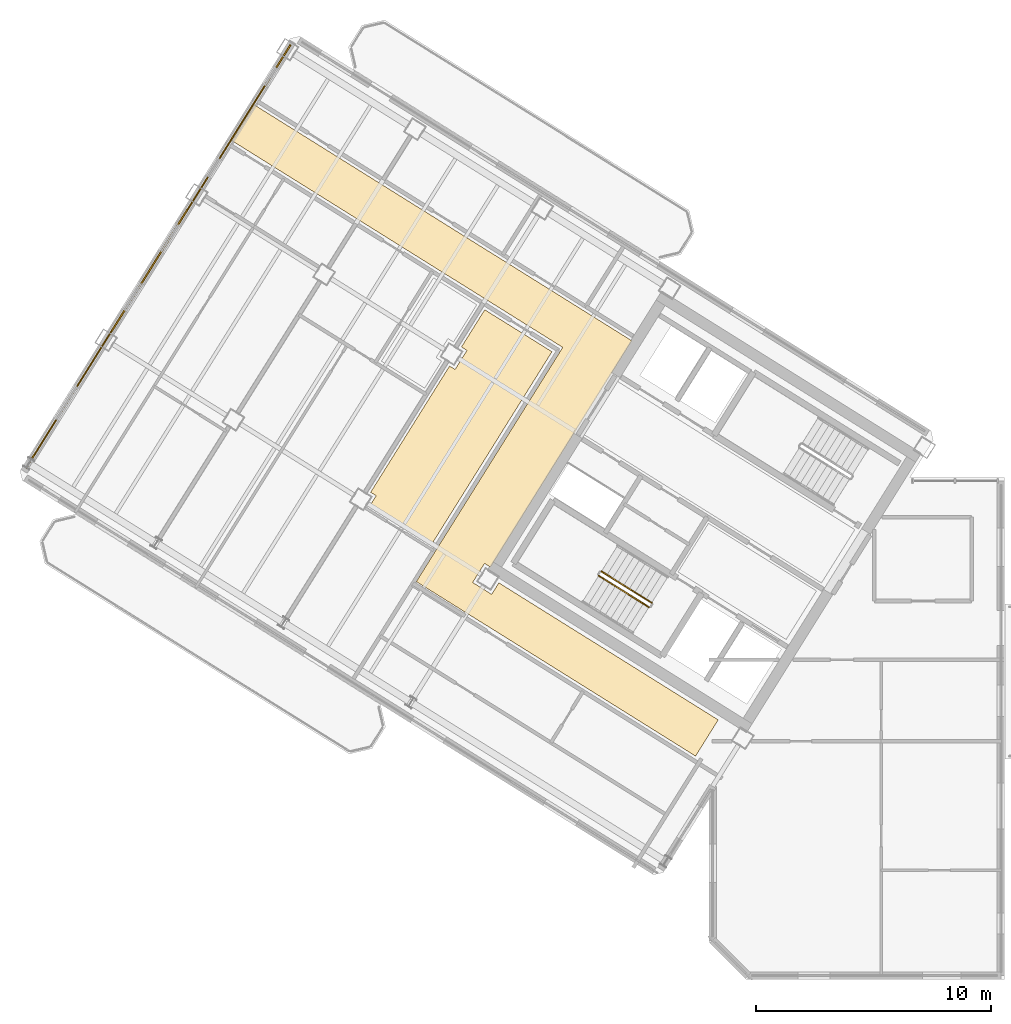
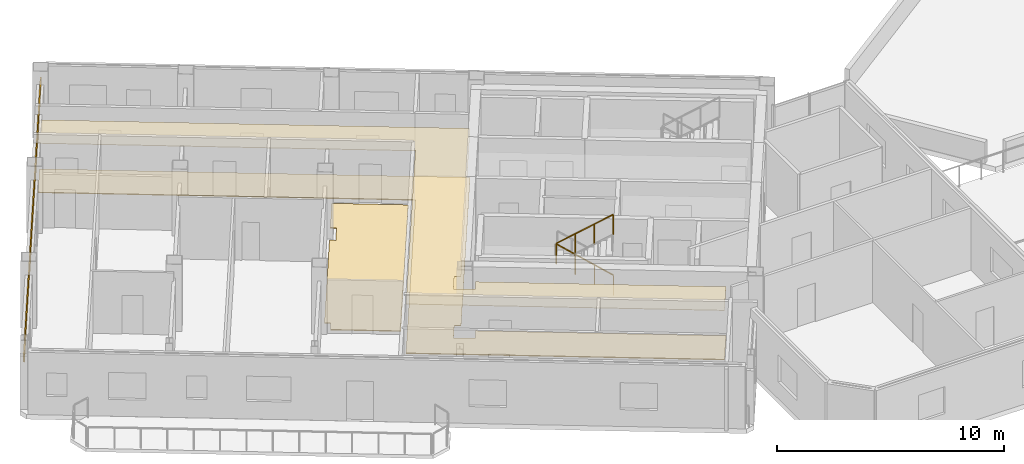
# One storey, part 11 of 14: 4 coverings, 2 railings.
"""IFC4 building model written with IfcOpenShell, lengths in metres."""

from ifc_helpers import new_model, si_unit, direction, frame, origin, origin_2d, place, context, subcontext, project, spatial, polyline, rectangle, outline, extrude, source, transform, mapped, material, layer, layer_set, type_object, element, save


model = new_model("IFC4")

# Units and contexts
model_context = context("Model", 3, precision=1e-05, world=origin(), true_north=direction((0.0, 1.0)))
body_context = subcontext(model_context, "Body", "Model", "MODEL_VIEW")
ifc_project = project(units=[si_unit("LENGTHUNIT", "METRE"), si_unit("AREAUNIT", "SQUARE_METRE"), si_unit("VOLUMEUNIT", "CUBIC_METRE"), si_unit("PLANEANGLEUNIT", "RADIAN"), si_unit("MASSUNIT", "GRAM", prefix="KILO")], contexts=[model_context])

# Site, building, storey
site_placement = place(None, origin())
site = spatial("IfcSite", under=ifc_project, at=site_placement, CompositionType="ELEMENT")
building_placement = place(site_placement, origin())
building = spatial("IfcBuilding", under=site, at=building_placement, Name="Tlacorven Tower", CompositionType="ELEMENT")
storey_placement = place(building_placement, frame((0.0, 0.0, 262.800048828125)))
storey = spatial("IfcBuildingStorey", under=building, at=storey_placement, Name="L66", CompositionType="ELEMENT", Elevation=262.800048828125)

# Coverings
ifc_material_1 = material(Name="Acoustic mineral-fibre ceiling")
ifc_layer_1 = layer(ifc_material_1, 0.02490234375)
ifc_layer_set_1 = layer_set([ifc_layer_1], Name="Acoustic mineral-fibre ceiling")
covering_type_1 = type_object("IfcCoveringType", Name="CV-CLG-ACST", PredefinedType="CEILING", material=ifc_layer_set_1)
covering_1_placement = place(storey_placement, frame((0.0, 0.0, 2.64990234375)))
element("IfcCovering", 1, at=covering_1_placement, inside=storey, type_object=covering_type_1, Name="L66 Acoustic Suspended Ceiling 3", PredefinedType="CEILING", context=body_context, shape_type="SweptSolid", body=[
    extrude(outline(polyline([(19.134033203125, 18.751953125), (25.371337890625, 28.7333984375), (11.276611328125, 37.540771484375), (12.23046875, 39.067138671875), (26.223388671875, 30.323486328125), (28.318115234375, 29.0146484375), (22.291748046875, 19.37060546875), (22.0390625, 19.528564453125), (21.532470703125, 18.7177734375), (22.34326171875, 18.211181640625), (22.6494140625, 18.701416015625), (31.99658203125, 12.860595703125), (31.0322265625, 11.317138671875), (19.134033203125, 18.751953125)])), origin(), (0.0, 0.0, 1.0), 0.025146484375),
])
ifc_material_2 = material(Name="Terrazzo and ceramic flooring")
ifc_layer_2 = layer(ifc_material_2, 0.0400390625)
ifc_layer_set_2 = layer_set([ifc_layer_2], Name="Terrazzo and ceramic flooring")
covering_type_2 = type_object("IfcCoveringType", Name="CV-FLR-TERZ", PredefinedType="FLOORING", material=ifc_layer_set_2)
covering_2_placement = place(storey_placement, origin())
element("IfcCovering", 2, at=covering_2_placement, inside=storey, type_object=covering_type_2, Name="L66 Terrazzo Floor Finish 3", PredefinedType="FLOORING", context=body_context, shape_type="SweptSolid", body=[
    extrude(outline(polyline([(19.134033203125, 18.751953125), (25.371337890625, 28.7333984375), (11.276611328125, 37.540771484375), (12.23046875, 39.067138671875), (26.223388671875, 30.323486328125), (28.318115234375, 29.0146484375), (22.291748046875, 19.37060546875), (22.0390625, 19.528564453125), (21.532470703125, 18.7177734375), (22.34326171875, 18.211181640625), (22.6494140625, 18.701416015625), (31.99658203125, 12.860595703125), (31.0322265625, 11.317138671875), (19.134033203125, 18.751953125)])), origin(), (0.0, 0.0, 1.0), 0.0400390625),
])
covering_3_placement = place(storey_placement, origin())
element("IfcCovering", 3, at=covering_3_placement, inside=storey, type_object=covering_type_2, Name="L66 Terrazzo Floor Finish 4", PredefinedType="FLOORING", context=body_context, shape_type="SweptSolid", body=[
    extrude(outline(polyline([(20.7841796875, 27.79345703125), (21.290771484375, 28.604248046875), (21.054931640625, 28.75146484375), (22.046875, 30.339111328125), (24.913330078125, 28.5478515625), (19.78271484375, 20.337158203125), (17.152099609375, 21.98095703125), (17.42236328125, 22.413330078125), (17.1865234375, 22.560791015625), (20.54833984375, 27.940673828125), (20.7841796875, 27.79345703125)])), origin(), (0.0, 0.0, 1.0), 0.0400390625),
])
ifc_material_3 = material(Name="Precast concrete C45/55", Category="concrete")
ifc_layer_3 = layer(ifc_material_3, 0.06005859375)
ifc_layer_set_3 = layer_set([ifc_layer_3], Name="Precast concrete C45/55")
covering_type_3 = type_object("IfcCoveringType", Name="CV-CLD-TERC", PredefinedType="CLADDING", material=ifc_layer_set_3)
shared_shape_1 = source(origin(), body_context, "Body", "SweptSolid", [
    extrude(rectangle(XDim=21.287353515625, YDim=0.06005859375, at=origin_2d()), origin(), (0.0, 0.0, 1.0), 0.419921875),
])
covering_4_placement = place(storey_placement, frame((8.13427734375, 32.606201171875, 2.455078125), z_axis=(0.0, 0.0, 1.0), x_axis=(0.529918940959, 0.84804829816, 0.0)))
element("IfcCovering", 4, at=covering_4_placement, inside=storey, type_object=covering_type_3, Name="L66 Masonry-Frame Spandrel Cladding 7", PredefinedType="CLADDING", context=body_context, shape_type="MappedRepresentation", body=[
    mapped(shared_shape_1, transform((0.0, 0.0, 0.0), scale=1.0)),
])

# Railings
ifc_material_4 = material(Name="Aluminium and painted steel balustrade", Category="steel")
railing_type = type_object("IfcRailingType", Name="RL-GRD-1100", PredefinedType="GUARDRAIL", material=ifc_material_4)
shared_shape_2 = source(origin(), body_context, "Body", "SweptSolid", [
    extrude(rectangle(XDim=0.048095703125, YDim=0.048095703125, at=origin_2d()), frame((0.0, 0.0, 1.076171875), z_axis=(-0.713319727316, 0.445773895627, 0.540796265334), x_axis=(-0.529955395941, -0.84802551749, 0.0)), (0.0, 0.0, 1.0), 2.995849609375),
    extrude(rectangle(XDim=0.0419921875, YDim=0.0419921875, at=origin_2d()), origin(), (0.0, 0.0, 1.0), 1.052001953125),
    extrude(rectangle(XDim=0.0419921875, YDim=0.0419921875, at=origin_2d()), frame((-0.71240234375, 0.445068359375, 0.5400390625)), (0.0, 0.0, 1.0), 1.052001953125),
    extrude(rectangle(XDim=0.0419921875, YDim=0.0419921875, at=origin_2d()), frame((-1.424560546875, 0.890380859375, 1.080078125)), (0.0, 0.0, 1.0), 1.052001953125),
    extrude(rectangle(XDim=0.0419921875, YDim=0.0419921875, at=origin_2d()), frame((-2.136962890625, 1.33544921875, 1.6201171875)), (0.0, 0.0, 1.0), 1.052001953125),
])
railing_1_placement = place(storey_placement, frame((29.16064453125, 17.851806640625, 0.179931640625)))
element("IfcRailing", 5, at=railing_1_placement, inside=storey, type_object=railing_type, Name="L66 ST-W1 stair guard 1", PredefinedType="GUARDRAIL", context=body_context, shape_type="MappedRepresentation", body=[
    mapped(shared_shape_2, transform((0.0, 0.0, 0.0), scale=1.0)),
])
shared_shape_3 = source(origin(), body_context, "Body", "SweptSolid", [
    extrude(rectangle(XDim=0.048095703125, YDim=0.048095703125, at=origin_2d()), frame((0.0, 0.0, 1.076171875), z_axis=(0.71339118691, -0.44576762536, 0.540707165313), x_axis=(0.529911857636, 0.848052724267, 0.0)), (0.0, 0.0, 1.0), 2.995849609375),
    extrude(rectangle(XDim=0.0419921875, YDim=0.0419921875, at=origin_2d()), origin(), (0.0, 0.0, 1.0), 1.052001953125),
    extrude(rectangle(XDim=0.0419921875, YDim=0.0419921875, at=origin_2d()), frame((0.71240234375, -0.445068359375, 0.5400390625)), (0.0, 0.0, 1.0), 1.052001953125),
    extrude(rectangle(XDim=0.0419921875, YDim=0.0419921875, at=origin_2d()), frame((1.4248046875, -0.890380859375, 1.079833984375)), (0.0, 0.0, 1.0), 1.052001953125),
    extrude(rectangle(XDim=0.0419921875, YDim=0.0419921875, at=origin_2d()), frame((2.13720703125, -1.33544921875, 1.619873046875)), (0.0, 0.0, 1.0), 1.052001953125),
])
railing_2_placement = place(storey_placement, frame((26.906982421875, 19.000732421875, 1.97998046875)))
element("IfcRailing", 6, at=railing_2_placement, inside=storey, type_object=railing_type, Name="L66 ST-W1 stair guard 3", PredefinedType="GUARDRAIL", context=body_context, shape_type="MappedRepresentation", body=[
    mapped(shared_shape_3, transform((0.0, 0.0, 0.0), scale=1.0)),
])

save(model, "model.ifc")
